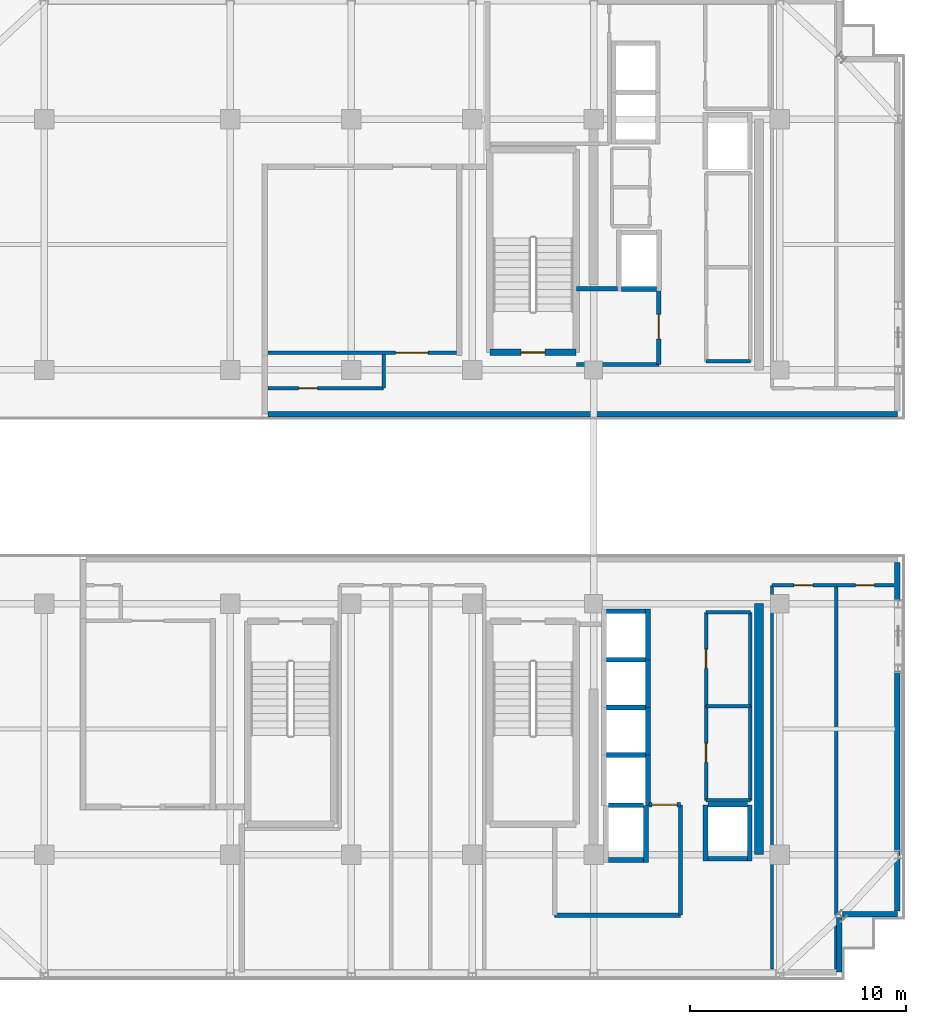
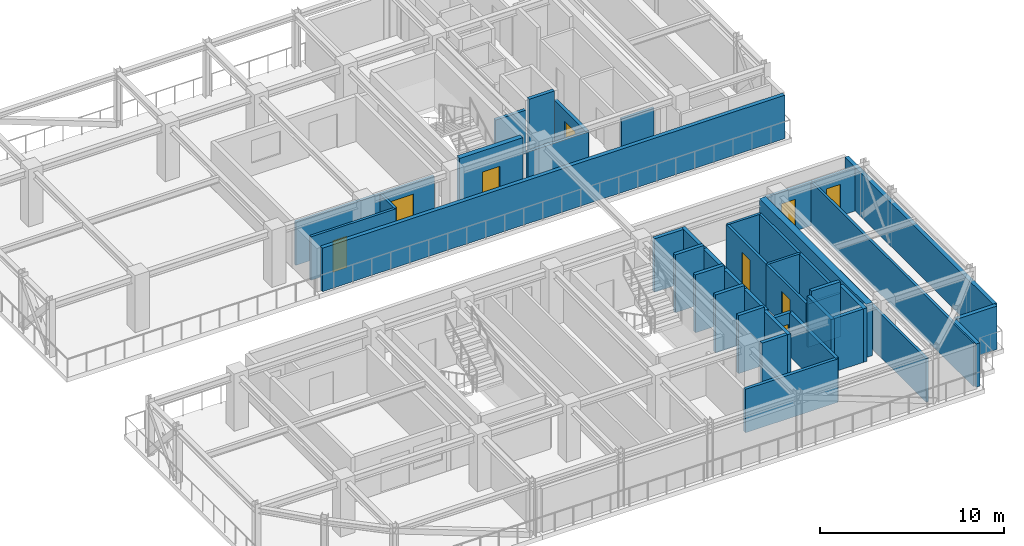
# One storey, part 6 of 14: 43 walls, 9 doors, 9 openings.
"""IFC4 building model written with IfcOpenShell, lengths in metres."""

from ifc_helpers import new_model, si_unit, direction, frame, frame_2d, origin, place, context, subcontext, project, spatial, rectangle, extrude, source, transform, mapped, material, layer, layer_set, type_object, element, fill, save


model = new_model("IFC4")

# Units and contexts
model_context = context("Model", 3, precision=1e-05, world=origin(), true_north=direction((0.0, 1.0)))
body_context = subcontext(model_context, "Body", "Model", "MODEL_VIEW")
ifc_project = project(units=[si_unit("LENGTHUNIT", "METRE"), si_unit("AREAUNIT", "SQUARE_METRE"), si_unit("VOLUMEUNIT", "CUBIC_METRE"), si_unit("PLANEANGLEUNIT", "RADIAN"), si_unit("MASSUNIT", "GRAM", prefix="KILO")], contexts=[model_context])

# Site, building, storey
site_placement = place(None, origin())
site = spatial("IfcSite", under=ifc_project, at=site_placement, CompositionType="ELEMENT")
building_placement = place(site_placement, origin())
building = spatial("IfcBuilding", under=site, at=building_placement, Name="Nahalor Promenade Grand Hotel", CompositionType="ELEMENT")
storey_placement = place(building_placement, frame((0.0, 0.0, 300.35009765625)))
storey = spatial("IfcBuildingStorey", under=building, at=storey_placement, Name="L77", CompositionType="ELEMENT", Elevation=300.35009765625)

# Wall
ifc_material_1 = material(Name="Concrete B-50 (C40/50)", Category="concrete")
ifc_layer_1 = layer(ifc_material_1, 0.39990234375)
ifc_layer_set_1 = layer_set([ifc_layer_1], Name="Concrete B-50 (C40/50)")
wall_type_1 = type_object("IfcWallType", Name="Wall-CoreShear-400", PredefinedType="SHEAR", material=ifc_layer_set_1)
shared_shape_1 = source(origin(), body_context, "Body", "SweptSolid", [
    extrude(rectangle(XDim=11.60009765625, YDim=0.39990234375, at=frame_2d((5.800048828125, 0.0))), origin(), (0.0, 0.0, 1.0), 3.5498046875),
])
wall_1_placement = place(storey_placement, frame((16.050048828125, -17.0, 0.0), z_axis=(0.0, 0.0, 1.0), x_axis=(0.0, 1.0, 0.0)))
element("IfcWall", 1, at=wall_1_placement, inside=storey, type_object=wall_type_1, Name="CWALL-L77-SE", PredefinedType="SHEAR", context=body_context, shape_type="MappedRepresentation", body=[
    mapped(shared_shape_1, transform((0.0, 0.0, 0.0), scale=1.0)),
])

# Wall, opening, door
ifc_layer_2 = layer(ifc_material_1, 0.300048828125)
ifc_layer_set_2 = layer_set([ifc_layer_2], Name="Concrete B-50 (C40/50)")
wall_type_2 = type_object("IfcWallType", Name="Wall-ShaftShear-300", PredefinedType="SHEAR", material=ifc_layer_set_2)
shared_shape_2 = source(origin(), body_context, "Body", "SweptSolid", [
    extrude(rectangle(XDim=3.97998046875, YDim=0.300048828125, at=frame_2d((1.989990234375, 0.0))), origin(), (0.0, 0.0, 1.0), 3.5498046875),
])
wall_2_placement = place(storey_placement, frame((3.610107421875, 6.2099609375, 0.0), z_axis=(0.0, 0.0, 1.0), x_axis=(1.0, 0.0, 0.0)))
wall_2 = element("IfcWall", 2, at=wall_2_placement, inside=storey, type_object=wall_type_2, Name="L77 Exit Stair ST1 Shaft Wall S", PredefinedType="SHEAR", context=body_context, shape_type="MappedRepresentation", body=[
    mapped(shared_shape_2, transform((0.0, 0.0, 0.0), scale=1.0)),
])
opening_1_placement = place(wall_2_placement, frame((1.43994140625, 0.0, 0.0)))
opening_1 = element("IfcOpeningElement", 3, at=opening_1_placement, cuts=wall_2, Name="Opening D-ST1", PredefinedType="OPENING", context=body_context, shape_type="SweptSolid", body=[
    extrude(rectangle(XDim=1.10009765625, YDim=2.14990234375, at=frame_2d((0.550048828125, 1.074951171875))), frame((0.0, 0.159912109375, 0.0), z_axis=(0.0, -1.0, 0.0), x_axis=(1.0, 0.0, 0.0)), (0.0, 0.0, 1.0), 0.320068359375),
])
ifc_material_2 = material(Name="Steel S355JR", Category="steel")
door_type_1 = type_object("IfcDoorType", Name="Door-StairFire-1100", OperationType="NOTDEFINED", PredefinedType="DOOR", material=ifc_material_2)
shared_shape_3 = source(origin(), body_context, "Body", "SweptSolid", [
    extrude(rectangle(XDim=1.10009765625, YDim=2.14990234375, at=frame_2d((0.550048828125, 1.074951171875))), frame((0.0, 0.02490234375, 0.0), z_axis=(0.0, -1.0, 0.0), x_axis=(1.0, 0.0, 0.0)), (0.0, 0.0, 1.0), 0.050048828125),
])
door_1_placement = place(opening_1_placement, origin())
door_1 = element("IfcDoor", 4, at=door_1_placement, inside=storey, type_object=door_type_1, Name="DR-STAIR-ST1-L77", OperationType="SINGLE_SWING_RIGHT", OverallHeight=2.14990234375, OverallWidth=1.10009765625, PredefinedType="DOOR", context=body_context, shape_type="MappedRepresentation", body=[
    mapped(shared_shape_3, transform((0.0, 0.0, 0.0), scale=1.0)),
])
fill(opening_1, door_1)

# Walls
ifc_layer_3 = layer(ifc_material_1, 0.219970703125)
ifc_layer_set_3 = layer_set([ifc_layer_3], Name="Concrete B-50 (C40/50)")
wall_type_3 = type_object("IfcWallType", Name="Wall-LiftShaft-220", PredefinedType="SHEAR", material=ifc_layer_set_3)
shared_shape_4 = source(origin(), body_context, "Body", "SweptSolid", [
    extrude(rectangle(XDim=2.360107421875, YDim=0.219970703125, at=frame_2d((1.18017578125, 0.0))), origin(), (0.0, 0.0, 1.0), 3.5498046875),
])
wall_3_placement = place(storey_placement, frame((10.919921875, -8.0, 0.0), z_axis=(0.0, 0.0, 1.0), x_axis=(0.0, 1.0, 0.0)))
element("IfcWall", 5, at=wall_3_placement, inside=storey, type_object=wall_type_3, Name="L77 Lift PL9 Hoistway Wall E", PredefinedType="SHEAR", context=body_context, shape_type="MappedRepresentation", body=[
    mapped(shared_shape_4, transform((0.0, 0.0, 0.0), scale=1.0)),
])
shared_shape_5 = source(origin(), body_context, "Body", "SweptSolid", [
    extrude(rectangle(XDim=1.820068359375, YDim=0.219970703125, at=frame_2d((0.91015625, 0.0))), origin(), (0.0, 0.0, 1.0), 3.5498046875),
])
for number, where, z_axis, x_axis, name in (
    (6, (8.989990234375, -5.75, 0.0), (0.0, 0.0, 1.0), (1.0, 0.0, 0.0), "L77 Lift PL9 Hoistway Wall N"),
    (7, (13.68994140625, -17.199951171875, 0.0), (0.0, 0.0, 1.0), (1.0, 0.0, 0.0), "L77 Lift SV2 Hoistway Wall S"),
):
    element("IfcWall", number, at=place(storey_placement, frame(where, z_axis=z_axis, x_axis=x_axis)), inside=storey, type_object=wall_type_3, Name=name, PredefinedType="SHEAR", context=body_context, shape_type="MappedRepresentation", body=[
        mapped(shared_shape_5, transform((0.0, 0.0, 0.0), scale=1.0)),
    ])
shared_shape_6 = source(origin(), body_context, "Body", "SweptSolid", [
    extrude(rectangle(XDim=1.820068359375, YDim=0.219970703125, at=frame_2d((0.91015625, 0.0))), origin(), (0.0, 0.0, 1.0), 3.849853515625),
])
for number, where, z_axis, x_axis, name in (
    (8, (8.989990234375, -8.0, 0.0), (0.0, 0.0, 1.0), (1.0, 0.0, 0.0), "L77 Lift PL10 Hoistway Wall N"),
    (9, (8.989990234375, -10.199951171875, 0.0), (0.0, 0.0, 1.0), (1.0, 0.0, 0.0), "L77 Lift PL11 Hoistway Wall N"),
    (10, (8.989990234375, -12.39990234375, 0.0), (0.0, 0.0, 1.0), (1.0, 0.0, 0.0), "L77 Lift PL12 Hoistway Wall N"),
    (11, (13.68994140625, -14.699951171875, 0.0), (0.0, 0.0, 1.0), (1.0, 0.0, 0.0), "L77 Lift SV2 Hoistway Wall N"),
):
    element("IfcWall", number, at=place(storey_placement, frame(where, z_axis=z_axis, x_axis=x_axis)), inside=storey, type_object=wall_type_3, Name=name, PredefinedType="SHEAR", context=body_context, shape_type="MappedRepresentation", body=[
        mapped(shared_shape_6, transform((0.0, 0.0, 0.0), scale=1.0)),
    ])
shared_shape_7 = source(origin(), body_context, "Body", "SweptSolid", [
    extrude(rectangle(XDim=2.199951171875, YDim=0.219970703125, at=frame_2d((1.10009765625, 0.0))), origin(), (0.0, 0.0, 1.0), 3.5498046875),
])
for number, where, z_axis, x_axis, name in (
    (12, (10.919921875, -10.199951171875, 0.0), (0.0, 0.0, 1.0), (0.0, 1.0, 0.0), "L77 Lift PL10 Hoistway Wall E"),
    (13, (10.919921875, -12.39990234375, 0.0), (0.0, 0.0, 1.0), (0.0, 1.0, 0.0), "L77 Lift PL11 Hoistway Wall E"),
):
    element("IfcWall", number, at=place(storey_placement, frame(where, z_axis=z_axis, x_axis=x_axis)), inside=storey, type_object=wall_type_3, Name=name, PredefinedType="SHEAR", context=body_context, shape_type="MappedRepresentation", body=[
        mapped(shared_shape_7, transform((0.0, 0.0, 0.0), scale=1.0)),
    ])
shared_shape_8 = source(origin(), body_context, "Body", "SweptSolid", [
    extrude(rectangle(XDim=2.3251953125, YDim=0.219970703125, at=frame_2d((1.16259765625, 0.0))), origin(), (0.0, 0.0, 1.0), 3.5498046875),
])
wall_4_placement = place(storey_placement, frame((10.919921875, -14.72509765625, 0.0), z_axis=(0.0, 0.0, 1.0), x_axis=(0.0, 1.0, 0.0)))
element("IfcWall", 14, at=wall_4_placement, inside=storey, type_object=wall_type_3, Name="L77 Lift PL12 Hoistway Wall E", PredefinedType="SHEAR", context=body_context, shape_type="MappedRepresentation", body=[
    mapped(shared_shape_8, transform((0.0, 0.0, 0.0), scale=1.0)),
])
shared_shape_9 = source(origin(), body_context, "Body", "SweptSolid", [
    extrude(rectangle(XDim=1.6201171875, YDim=0.219970703125, at=frame_2d((0.81005859375, 0.0))), origin(), (0.0, 0.0, 1.0), 3.5498046875),
])
wall_5_placement = place(storey_placement, frame((9.68994140625, 9.14990234375, 0.0), z_axis=(0.0, 0.0, 1.0), x_axis=(1.0, 0.0, 0.0)))
element("IfcWall", 15, at=wall_5_placement, inside=storey, type_object=wall_type_3, Name="L77 Lift FL1 Hoistway Wall S", PredefinedType="SHEAR", context=body_context, shape_type="MappedRepresentation", body=[
    mapped(shared_shape_9, transform((0.0, 0.0, 0.0), scale=1.0)),
])
shared_shape_10 = source(origin(), body_context, "Body", "SweptSolid", [
    extrude(rectangle(XDim=1.619873046875, YDim=0.219970703125, at=frame_2d((0.81005859375, 0.0))), origin(), (0.0, 0.0, 1.0), 3.849853515625),
])
wall_6_placement = place(storey_placement, frame((9.090087890625, -14.72509765625, 0.0), z_axis=(0.0, 0.0, 1.0), x_axis=(1.0, 0.0, 0.0)))
element("IfcWall", 16, at=wall_6_placement, inside=storey, type_object=wall_type_3, Name="L77 Lift FL2 Hoistway Wall N", PredefinedType="SHEAR", context=body_context, shape_type="MappedRepresentation", body=[
    mapped(shared_shape_10, transform((0.0, 0.0, 0.0), scale=1.0)),
])
shared_shape_11 = source(origin(), body_context, "Body", "SweptSolid", [
    extrude(rectangle(XDim=2.635009765625, YDim=0.219970703125, at=frame_2d((1.3173828125, 0.0))), origin(), (0.0, 0.0, 1.0), 3.5498046875),
])
wall_7_placement = place(storey_placement, frame((10.820068359375, -17.360107421875, 0.0), z_axis=(0.0, 0.0, 1.0), x_axis=(0.0, 1.0, 0.0)))
element("IfcWall", 17, at=wall_7_placement, inside=storey, type_object=wall_type_3, Name="L77 Lift FL2 Hoistway Wall E", PredefinedType="SHEAR", context=body_context, shape_type="MappedRepresentation", body=[
    mapped(shared_shape_11, transform((0.0, 0.0, 0.0), scale=1.0)),
])
shared_shape_12 = source(origin(), body_context, "Body", "SweptSolid", [
    extrude(rectangle(XDim=1.619873046875, YDim=0.219970703125, at=frame_2d((0.81005859375, 0.0))), origin(), (0.0, 0.0, 1.0), 3.5498046875),
])
wall_8_placement = place(storey_placement, frame((9.090087890625, -17.25, 0.0), z_axis=(0.0, 0.0, 1.0), x_axis=(1.0, 0.0, 0.0)))
element("IfcWall", 18, at=wall_8_placement, inside=storey, type_object=wall_type_3, Name="L77 Lift FL2 Hoistway Wall S", PredefinedType="SHEAR", context=body_context, shape_type="MappedRepresentation", body=[
    mapped(shared_shape_12, transform((0.0, 0.0, 0.0), scale=1.0)),
])
shared_shape_13 = source(origin(), body_context, "Body", "SweptSolid", [
    extrude(rectangle(XDim=2.610107421875, YDim=0.219970703125, at=frame_2d((1.30517578125, 0.0))), origin(), (0.0, 0.0, 1.0), 3.5498046875),
])
for number, where, z_axis, x_axis, name in (
    (19, (13.580078125, -17.31005859375, 0.0), (0.0, 0.0, 1.0), (0.0, 1.0, 0.0), "L77 Lift SV2 Hoistway Wall W"),
    (20, (15.6201171875, -17.31005859375, 0.0), (0.0, 0.0, 1.0), (0.0, 1.0, 0.0), "L77 Lift SV2 Hoistway Wall E"),
):
    element("IfcWall", number, at=place(storey_placement, frame(where, z_axis=z_axis, x_axis=x_axis)), inside=storey, type_object=wall_type_3, Name=name, PredefinedType="SHEAR", context=body_context, shape_type="MappedRepresentation", body=[
        mapped(shared_shape_13, transform((0.0, 0.0, 0.0), scale=1.0)),
    ])
ifc_material_3 = material(Name="Concrete B-40 (C32/40)", Category="concrete")
ifc_layer_4 = layer(ifc_material_3, 0.199951171875)
ifc_layer_set_4 = layer_set([ifc_layer_4], Name="Concrete B-40 (C32/40)")
wall_type_4 = type_object("IfcWallType", Name="Wall-PartFire-200", PredefinedType="PARTITIONING", material=ifc_layer_set_4)
shared_shape_14 = source(origin(), body_context, "Body", "SweptSolid", [
    extrude(rectangle(XDim=3.81982421875, YDim=0.199951171875, at=frame_2d((1.909912109375, 0.0))), origin(), (0.0, 0.0, 1.0), 2.889892578125),
])
wall_9_placement = place(storey_placement, frame((7.60009765625, 5.64990234375, 0.0), z_axis=(0.0, 0.0, 1.0), x_axis=(1.0, 0.0, 0.0)))
element("IfcWall", 21, at=wall_9_placement, inside=storey, type_object=wall_type_4, Name="W-L77-FF1-S", PredefinedType="PARTITIONING", context=body_context, shape_type="MappedRepresentation", body=[
    mapped(shared_shape_14, transform((0.0, 0.0, 0.0), scale=1.0)),
])
shared_shape_15 = source(origin(), body_context, "Body", "SweptSolid", [
    extrude(rectangle(XDim=1.89990234375, YDim=0.199951171875, at=frame_2d((0.949951171875, 0.0))), origin(), (0.0, 0.0, 1.0), 2.889892578125),
])
wall_10_placement = place(storey_placement, frame((7.60009765625, 9.14990234375, 0.0), z_axis=(0.0, 0.0, 1.0), x_axis=(1.0, 0.0, 0.0)))
element("IfcWall", 22, at=wall_10_placement, inside=storey, type_object=wall_type_4, Name="W-L77-FF1-N", PredefinedType="PARTITIONING", context=body_context, shape_type="MappedRepresentation", body=[
    mapped(shared_shape_15, transform((0.0, 0.0, 0.0), scale=1.0)),
])

# Wall, opening, door
shared_shape_16 = source(origin(), body_context, "Body", "SweptSolid", [
    extrude(rectangle(XDim=3.5, YDim=0.199951171875, at=frame_2d((1.75, 0.0))), origin(), (0.0, 0.0, 1.0), 2.889892578125),
])
wall_11_placement = place(storey_placement, frame((11.419921875, 5.64990234375, 0.0), z_axis=(0.0, 0.0, 1.0), x_axis=(0.0, 1.0, 0.0)))
wall_11 = element("IfcWall", 23, at=wall_11_placement, inside=storey, type_object=wall_type_4, Name="W-L77-FF1-E", PredefinedType="PARTITIONING", context=body_context, shape_type="MappedRepresentation", body=[
    mapped(shared_shape_16, transform((0.0, 0.0, 0.0), scale=1.0)),
])
opening_2_placement = place(wall_11_placement, frame((1.175048828125, 0.0, 0.0)))
opening_2 = element("IfcOpeningElement", 24, at=opening_2_placement, cuts=wall_11, Name="Opening D-FF1", PredefinedType="OPENING", context=body_context, shape_type="SweptSolid", body=[
    extrude(rectangle(XDim=1.14990234375, YDim=2.14990234375, at=frame_2d((0.574951171875, 1.074951171875))), frame((0.0, 0.10986328125, 0.0), z_axis=(0.0, -1.0, 0.0), x_axis=(1.0, 0.0, 0.0)), (0.0, 0.0, 1.0), 0.219970703125),
])
door_type_2 = type_object("IfcDoorType", Name="Door-FFLobby-1150", OperationType="NOTDEFINED", PredefinedType="DOOR", material=ifc_material_2)
shared_shape_17 = source(origin(), body_context, "Body", "SweptSolid", [
    extrude(rectangle(XDim=1.14990234375, YDim=2.14990234375, at=frame_2d((0.574951171875, 1.074951171875))), frame((0.0, 0.02490234375, 0.0), z_axis=(0.0, -1.0, 0.0), x_axis=(1.0, 0.0, 0.0)), (0.0, 0.0, 1.0), 0.050048828125),
])
door_2_placement = place(opening_2_placement, frame((1.14990234375, 0.0, 0.0), z_axis=(0.0, 0.0, 1.0), x_axis=(-1.0, 0.0, 0.0)))
door_2 = element("IfcDoor", 25, at=door_2_placement, inside=storey, type_object=door_type_2, Name="DR-L77-FFL1", OperationType="SINGLE_SWING_RIGHT", OverallHeight=2.14990234375, OverallWidth=1.14990234375, PredefinedType="DOOR", context=body_context, shape_type="MappedRepresentation", body=[
    mapped(shared_shape_17, transform((0.0, 0.0, 0.0), scale=1.0)),
])
fill(opening_2, door_2)

# Walls
shared_shape_18 = source(origin(), body_context, "Body", "SweptSolid", [
    extrude(rectangle(XDim=5.81982421875, YDim=0.199951171875, at=frame_2d((2.909912109375, 0.0))), origin(), (0.0, 0.0, 1.0), 2.889892578125),
])
wall_12_placement = place(storey_placement, frame((6.60009765625, -19.800048828125, 0.0), z_axis=(0.0, 0.0, 1.0), x_axis=(1.0, 0.0, 0.0)))
element("IfcWall", 26, at=wall_12_placement, inside=storey, type_object=wall_type_4, Name="W-L77-FF2-S1", PredefinedType="PARTITIONING", context=body_context, shape_type="MappedRepresentation", body=[
    mapped(shared_shape_18, transform((0.0, 0.0, 0.0), scale=1.0)),
])
shared_shape_19 = source(origin(), body_context, "Body", "SweptSolid", [
    extrude(rectangle(XDim=5.10009765625, YDim=0.199951171875, at=frame_2d((2.550048828125, 0.0))), origin(), (0.0, 0.0, 1.0), 2.889892578125),
])
wall_13_placement = place(storey_placement, frame((12.419921875, -19.800048828125, 0.0), z_axis=(0.0, 0.0, 1.0), x_axis=(0.0, 1.0, 0.0)))
element("IfcWall", 27, at=wall_13_placement, inside=storey, type_object=wall_type_4, Name="W-L77-FF2-E", PredefinedType="PARTITIONING", context=body_context, shape_type="MappedRepresentation", body=[
    mapped(shared_shape_19, transform((0.0, 0.0, 0.0), scale=1.0)),
])

# Wall, opening, door
shared_shape_20 = source(origin(), body_context, "Body", "SweptSolid", [
    extrude(rectangle(XDim=1.4599609375, YDim=0.199951171875, at=frame_2d((0.72998046875, 0.0))), origin(), (0.0, 0.0, 1.0), 2.889892578125),
])
wall_14_placement = place(storey_placement, frame((10.9599609375, -14.699951171875, 0.0), z_axis=(0.0, 0.0, 1.0), x_axis=(1.0, 0.0, 0.0)))
wall_14 = element("IfcWall", 28, at=wall_14_placement, inside=storey, type_object=wall_type_4, Name="W-L77-FF2-N1", PredefinedType="PARTITIONING", context=body_context, shape_type="MappedRepresentation", body=[
    mapped(shared_shape_20, transform((0.0, 0.0, 0.0), scale=1.0)),
])
opening_3_placement = place(wall_14_placement, frame((0.14501953125, 0.0, 0.0)))
opening_3 = element("IfcOpeningElement", 29, at=opening_3_placement, cuts=wall_14, Name="Opening D-FF1", PredefinedType="OPENING", context=body_context, shape_type="SweptSolid", body=[
    extrude(rectangle(XDim=1.14990234375, YDim=2.14990234375, at=frame_2d((0.574951171875, 1.074951171875))), frame((0.0, 0.10986328125, 0.0), z_axis=(0.0, -1.0, 0.0), x_axis=(1.0, 0.0, 0.0)), (0.0, 0.0, 1.0), 0.219970703125),
])
door_3_placement = place(opening_3_placement, origin())
door_3 = element("IfcDoor", 30, at=door_3_placement, inside=storey, type_object=door_type_2, Name="DR-L77-FFL2", OperationType="SINGLE_SWING_LEFT", OverallHeight=2.14990234375, OverallWidth=1.14990234375, PredefinedType="DOOR", context=body_context, shape_type="MappedRepresentation", body=[
    mapped(shared_shape_17, transform((0.0, 0.0, 0.0), scale=1.0)),
])
fill(opening_3, door_3)

# Walls
ifc_material_4 = material(Name="Acoustic Mineral Gypsum", Category="gypsum")
ifc_layer_5 = layer(ifc_material_4, 0.159912109375)
ifc_layer_set_5 = layer_set([ifc_layer_5], Name="Acoustic Mineral Gypsum")
wall_type_5 = type_object("IfcWallType", Name="Wall-PartCorridor-160", PredefinedType="PARTITIONING", material=ifc_layer_set_5)
shared_shape_21 = source(origin(), body_context, "Body", "SweptSolid", [
    extrude(rectangle(XDim=2.0498046875, YDim=0.159912109375, at=frame_2d((1.02490234375, 0.0))), origin(), (0.0, 0.0, 1.0), 2.889892578125),
])
for number, where, z_axis, x_axis, name in (
    (31, (13.60009765625, 5.800048828125, 0.0), (0.0, 0.0, 1.0), (1.0, 0.0, 0.0), "W-L77-FRB1A-S"),
    (32, (13.60009765625, -14.5, 0.0), (0.0, 0.0, 1.0), (1.0, 0.0, 0.0), "W-L77-FRB2A-S"),
    (33, (13.60009765625, -10.14990234375, 0.0), (0.0, 0.0, 1.0), (1.0, 0.0, 0.0), "W-L77-FRB2A-N"),
    (34, (13.60009765625, -5.800048828125, 0.0), (0.0, 0.0, 1.0), (1.0, 0.0, 0.0), "W-L77-FRB2B-N"),
):
    element("IfcWall", number, at=place(storey_placement, frame(where, z_axis=z_axis, x_axis=x_axis)), inside=storey, type_object=wall_type_5, Name=name, PredefinedType="PARTITIONING", context=body_context, shape_type="MappedRepresentation", body=[
        mapped(shared_shape_21, transform((0.0, 0.0, 0.0), scale=1.0)),
    ])

# Wall, opening, door
shared_shape_22 = source(origin(), body_context, "Body", "SweptSolid", [
    extrude(rectangle(XDim=4.349853515625, YDim=0.159912109375, at=frame_2d((2.1748046875, 0.0))), origin(), (0.0, 0.0, 1.0), 2.889892578125),
])
wall_15_placement = place(storey_placement, frame((13.60009765625, -10.14990234375, 0.0), z_axis=(0.0, 0.0, 1.0), x_axis=(0.0, 1.0, 0.0)))
wall_15 = element("IfcWall", 35, at=wall_15_placement, inside=storey, type_object=wall_type_5, Name="W-L77-FRB2B-W", PredefinedType="PARTITIONING", context=body_context, shape_type="MappedRepresentation", body=[
    mapped(shared_shape_22, transform((0.0, 0.0, 0.0), scale=1.0)),
])
opening_4_placement = place(wall_15_placement, frame((1.760009765625, 0.0, 0.0)))
opening_4 = element("IfcOpeningElement", 36, at=opening_4_placement, cuts=wall_15, Name="Opening D-03", PredefinedType="OPENING", context=body_context, shape_type="SweptSolid", body=[
    extrude(rectangle(XDim=0.8798828125, YDim=2.10009765625, at=frame_2d((0.43994140625, 1.050048828125))), frame((0.0, 0.08984375, 0.0), z_axis=(0.0, -1.0, 0.0), x_axis=(1.0, 0.0, 0.0)), (0.0, 0.0, 1.0), 0.179931640625),
])
ifc_material_5 = material(Name="Fire-Rated Timber Composite", Category="wood")
door_type_3 = type_object("IfcDoorType", Name="Door-BathSwing-880", OperationType="NOTDEFINED", PredefinedType="DOOR", material=ifc_material_5)
shared_shape_23 = source(origin(), body_context, "Body", "SweptSolid", [
    extrude(rectangle(XDim=0.8798828125, YDim=2.10009765625, at=frame_2d((0.43994140625, 1.050048828125))), frame((0.0, 0.02490234375, 0.0), z_axis=(0.0, -1.0, 0.0), x_axis=(1.0, 0.0, 0.0)), (0.0, 0.0, 1.0), 0.050048828125),
])
door_4_placement = place(opening_4_placement, frame((0.8798828125, 0.0, 0.0), z_axis=(0.0, 0.0, 1.0), x_axis=(-1.0, 0.0, 0.0)))
door_4 = element("IfcDoor", 37, at=door_4_placement, inside=storey, type_object=door_type_3, Name="DR-L77-FRB2B", OperationType="SINGLE_SWING_LEFT", OverallHeight=2.10009765625, OverallWidth=0.8798828125, PredefinedType="DOOR", context=body_context, shape_type="MappedRepresentation", body=[
    mapped(shared_shape_23, transform((0.0, 0.0, 0.0), scale=1.0)),
])
fill(opening_4, door_4)

# Wall
wall_16_placement = place(storey_placement, frame((15.64990234375, -10.14990234375, 0.0), z_axis=(0.0, 0.0, 1.0), x_axis=(0.0, 1.0, 0.0)))
element("IfcWall", 38, at=wall_16_placement, inside=storey, type_object=wall_type_5, Name="W-L77-FRB2B-E", PredefinedType="PARTITIONING", context=body_context, shape_type="MappedRepresentation", body=[
    mapped(shared_shape_22, transform((0.0, 0.0, 0.0), scale=1.0)),
])

# Wall, opening, door
shared_shape_24 = source(origin(), body_context, "Body", "SweptSolid", [
    extrude(rectangle(XDim=4.35009765625, YDim=0.159912109375, at=frame_2d((2.175048828125, 0.0))), origin(), (0.0, 0.0, 1.0), 2.889892578125),
])
wall_17_placement = place(storey_placement, frame((13.60009765625, -14.5, 0.0), z_axis=(0.0, 0.0, 1.0), x_axis=(0.0, 1.0, 0.0)))
wall_17 = element("IfcWall", 39, at=wall_17_placement, inside=storey, type_object=wall_type_5, Name="W-L77-FRB2A-W", PredefinedType="PARTITIONING", context=body_context, shape_type="MappedRepresentation", body=[
    mapped(shared_shape_24, transform((0.0, 0.0, 0.0), scale=1.0)),
])
opening_5_placement = place(wall_17_placement, frame((1.760009765625, 0.0, 0.0)))
opening_5 = element("IfcOpeningElement", 40, at=opening_5_placement, cuts=wall_17, Name="Opening D-03", PredefinedType="OPENING", context=body_context, shape_type="SweptSolid", body=[
    extrude(rectangle(XDim=0.8798828125, YDim=2.10009765625, at=frame_2d((0.43994140625, 1.050048828125))), frame((0.0, 0.08984375, 0.0), z_axis=(0.0, -1.0, 0.0), x_axis=(1.0, 0.0, 0.0)), (0.0, 0.0, 1.0), 0.179931640625),
])
door_5_placement = place(opening_5_placement, frame((0.8798828125, 0.0, 0.0), z_axis=(0.0, 0.0, 1.0), x_axis=(-1.0, 0.0, 0.0)))
door_5 = element("IfcDoor", 41, at=door_5_placement, inside=storey, type_object=door_type_3, Name="DR-L77-FRB2A", OperationType="SINGLE_SWING_RIGHT", OverallHeight=2.10009765625, OverallWidth=0.8798828125, PredefinedType="DOOR", context=body_context, shape_type="MappedRepresentation", body=[
    mapped(shared_shape_23, transform((0.0, 0.0, 0.0), scale=1.0)),
])
fill(opening_5, door_5)

# Walls
wall_18_placement = place(storey_placement, frame((15.64990234375, -14.5, 0.0), z_axis=(0.0, 0.0, 1.0), x_axis=(0.0, 1.0, 0.0)))
element("IfcWall", 42, at=wall_18_placement, inside=storey, type_object=wall_type_5, Name="W-L77-FRB2A-E", PredefinedType="PARTITIONING", context=body_context, shape_type="MappedRepresentation", body=[
    mapped(shared_shape_24, transform((0.0, 0.0, 0.0), scale=1.0)),
])
ifc_layer_6 = layer(ifc_material_3, 0.25)
ifc_layer_set_6 = layer_set([ifc_layer_6], Name="Concrete B-40 (C32/40)")
wall_type_6 = type_object("IfcWallType", Name="Wall-BronzePier-250", PredefinedType="STANDARD", material=ifc_layer_set_6)
shared_shape_25 = source(origin(), body_context, "Body", "SweptSolid", [
    extrude(rectangle(XDim=2.5400390625, YDim=0.25, at=frame_2d((1.27001953125, 0.0))), origin(), (0.0, 0.0, 1.0), 2.889892578125),
])
for number, where, z_axis, x_axis, name in (
    (43, (19.760009765625, -22.43994140625, 0.0), (0.0, 0.0, 1.0), (0.0, 1.0, 0.0), "W-L77-WPENV-SSE1"),
    (44, (19.89990234375, -19.760009765625, 0.0), (0.0, 0.0, 1.0), (1.0, 0.0, 0.0), "W-L77-WPENV-SSE2"),
):
    element("IfcWall", number, at=place(storey_placement, frame(where, z_axis=z_axis, x_axis=x_axis)), inside=storey, type_object=wall_type_6, Name=name, PredefinedType="STANDARD", context=body_context, shape_type="MappedRepresentation", body=[
        mapped(shared_shape_25, transform((0.0, 0.0, 0.0), scale=1.0)),
    ])
shared_shape_26 = source(origin(), body_context, "Body", "SweptSolid", [
    extrude(rectangle(XDim=16.1201171875, YDim=0.25, at=frame_2d((8.06005859375, 0.0))), origin(), (0.0, 0.0, 1.0), 2.889892578125),
])
wall_19_placement = place(storey_placement, frame((22.43994140625, -19.6201171875, 0.0), z_axis=(0.0, 0.0, 1.0), x_axis=(0.0, 1.0, 0.0)))
element("IfcWall", 45, at=wall_19_placement, inside=storey, type_object=wall_type_6, Name="W-L77-WPENV-SE", PredefinedType="STANDARD", context=body_context, shape_type="MappedRepresentation", body=[
    mapped(shared_shape_26, transform((0.0, 0.0, 0.0), scale=1.0)),
])
shared_shape_27 = source(origin(), body_context, "Body", "SweptSolid", [
    extrude(rectangle(XDim=1.56005859375, YDim=0.159912109375, at=frame_2d((0.780029296875, 0.0))), origin(), (0.0, 0.0, 1.0), 2.889892578125),
])
wall_20_placement = place(storey_placement, frame((-1.300048828125, 4.56005859375, 0.0), z_axis=(0.0, 0.0, 1.0), x_axis=(0.0, 1.0, 0.0)))
element("IfcWall", 46, at=wall_20_placement, inside=storey, type_object=wall_type_5, Name="W-L77-WPNW1-E", PredefinedType="PARTITIONING", context=body_context, shape_type="MappedRepresentation", body=[
    mapped(shared_shape_27, transform((0.0, 0.0, 0.0), scale=1.0)),
])

# Wall, opening, door
shared_shape_28 = source(origin(), body_context, "Body", "SweptSolid", [
    extrude(rectangle(XDim=2.97021484375, YDim=0.159912109375, at=frame_2d((1.485107421875, 0.0))), origin(), (0.0, 0.0, 1.0), 2.889892578125),
])
wall_21_placement = place(storey_placement, frame((16.64990234375, -4.56005859375, 0.0), z_axis=(0.0, 0.0, 1.0), x_axis=(1.0, 0.0, 0.0)))
wall_21 = element("IfcWall", 47, at=wall_21_placement, inside=storey, type_object=wall_type_5, Name="W-L77-WPSE1-N", PredefinedType="PARTITIONING", context=body_context, shape_type="MappedRepresentation", body=[
    mapped(shared_shape_28, transform((0.0, 0.0, 0.0), scale=1.0)),
])
opening_6_placement = place(wall_21_placement, frame((1.010009765625, 0.0, 0.0)))
opening_6 = element("IfcOpeningElement", 48, at=opening_6_placement, cuts=wall_21, Name="Opening D-03", PredefinedType="OPENING", context=body_context, shape_type="SweptSolid", body=[
    extrude(rectangle(XDim=0.8798828125, YDim=2.10009765625, at=frame_2d((0.43994140625, 1.050048828125))), frame((0.0, 0.08984375, 0.0), z_axis=(0.0, -1.0, 0.0), x_axis=(1.0, 0.0, 0.0)), (0.0, 0.0, 1.0), 0.179931640625),
])
door_6_placement = place(opening_6_placement, frame((0.8798828125, 0.0, 0.0), z_axis=(0.0, 0.0, 1.0), x_axis=(-1.0, 0.0, 0.0)))
door_6 = element("IfcDoor", 49, at=door_6_placement, inside=storey, type_object=door_type_3, Name="DR-L77-WPSE1", OperationType="SINGLE_SWING_LEFT", OverallHeight=2.10009765625, OverallWidth=0.8798828125, PredefinedType="DOOR", context=body_context, shape_type="MappedRepresentation", body=[
    mapped(shared_shape_23, transform((0.0, 0.0, 0.0), scale=1.0)),
])
fill(opening_6, door_6)

# Walls
shared_shape_29 = source(origin(), body_context, "Body", "SweptSolid", [
    extrude(rectangle(XDim=17.739990234375, YDim=0.159912109375, at=frame_2d((8.8701171875, 0.0))), origin(), (0.0, 0.0, 1.0), 2.889892578125),
])
for number, where, z_axis, x_axis, name in (
    (50, (16.64990234375, -22.300048828125, 0.0), (0.0, 0.0, 1.0), (0.0, 1.0, 0.0), "W-L77-WPSE1-W"),
    (51, (19.6201171875, -22.300048828125, 0.0), (0.0, 0.0, 1.0), (0.0, 1.0, 0.0), "W-L77-WPSE1-E"),
):
    element("IfcWall", number, at=place(storey_placement, frame(where, z_axis=z_axis, x_axis=x_axis)), inside=storey, type_object=wall_type_5, Name=name, PredefinedType="PARTITIONING", context=body_context, shape_type="MappedRepresentation", body=[
        mapped(shared_shape_29, transform((0.0, 0.0, 0.0), scale=1.0)),
    ])

# Wall, opening, door
shared_shape_30 = source(origin(), body_context, "Body", "SweptSolid", [
    extrude(rectangle(XDim=2.679931640625, YDim=0.159912109375, at=frame_2d((1.33984375, 0.0))), origin(), (0.0, 0.0, 1.0), 2.889892578125),
])
wall_22_placement = place(storey_placement, frame((19.6201171875, -4.56005859375, 0.0), z_axis=(0.0, 0.0, 1.0), x_axis=(1.0, 0.0, 0.0)))
wall_22 = element("IfcWall", 52, at=wall_22_placement, inside=storey, type_object=wall_type_5, Name="W-L77-WPSE2-N", PredefinedType="PARTITIONING", context=body_context, shape_type="MappedRepresentation", body=[
    mapped(shared_shape_30, transform((0.0, 0.0, 0.0), scale=1.0)),
])
opening_7_placement = place(wall_22_placement, frame((0.889892578125, 0.0, 0.0)))
opening_7 = element("IfcOpeningElement", 53, at=opening_7_placement, cuts=wall_22, Name="Opening D-03", PredefinedType="OPENING", context=body_context, shape_type="SweptSolid", body=[
    extrude(rectangle(XDim=0.8798828125, YDim=2.10009765625, at=frame_2d((0.43994140625, 1.050048828125))), frame((0.0, 0.08984375, 0.0), z_axis=(0.0, -1.0, 0.0), x_axis=(1.0, 0.0, 0.0)), (0.0, 0.0, 1.0), 0.179931640625),
])
door_7_placement = place(opening_7_placement, frame((0.8798828125, 0.0, 0.0), z_axis=(0.0, 0.0, 1.0), x_axis=(-1.0, 0.0, 0.0)))
door_7 = element("IfcDoor", 54, at=door_7_placement, inside=storey, type_object=door_type_3, Name="DR-L77-WPSE2", OperationType="SINGLE_SWING_RIGHT", OverallHeight=2.10009765625, OverallWidth=0.8798828125, PredefinedType="DOOR", context=body_context, shape_type="MappedRepresentation", body=[
    mapped(shared_shape_23, transform((0.0, 0.0, 0.0), scale=1.0)),
])
fill(opening_7, door_7)

# Wall
shared_shape_31 = source(origin(), body_context, "Body", "SweptSolid", [
    extrude(rectangle(XDim=29.079833984375, YDim=0.25, at=frame_2d((14.5400390625, 0.0))), origin(), (0.0, 0.0, 1.0), 2.889892578125),
])
wall_23_placement = place(storey_placement, frame((-6.639892578125, 3.360107421875, 0.0), z_axis=(0.0, 0.0, 1.0), x_axis=(1.0, 0.0, 0.0)))
element("IfcWall", 55, at=wall_23_placement, inside=storey, type_object=wall_type_6, Name="W-L77-WPENV-NS", PredefinedType="STANDARD", context=body_context, shape_type="MappedRepresentation", body=[
    mapped(shared_shape_31, transform((0.0, 0.0, 0.0), scale=1.0)),
])

# Wall, opening, door
shared_shape_32 = source(origin(), body_context, "Body", "SweptSolid", [
    extrude(rectangle(XDim=8.719970703125, YDim=0.159912109375, at=frame_2d((4.35986328125, 0.0))), origin(), (0.0, 0.0, 1.0), 2.889892578125),
])
wall_24_placement = place(storey_placement, frame((-6.659912109375, 6.199951171875, 0.0), z_axis=(0.0, 0.0, 1.0), x_axis=(1.0, 0.0, 0.0)))
wall_24 = element("IfcWall", 56, at=wall_24_placement, inside=storey, type_object=wall_type_5, Name="W-L77-WPGAL-N-S", PredefinedType="PARTITIONING", context=body_context, shape_type="MappedRepresentation", body=[
    mapped(shared_shape_32, transform((0.0, 0.0, 0.0), scale=1.0)),
])
opening_8_placement = place(wall_24_placement, frame((5.909912109375, 0.0, 0.0)))
opening_8 = element("IfcOpeningElement", 57, at=opening_8_placement, cuts=wall_24, Name="Opening D-02", PredefinedType="OPENING", context=body_context, shape_type="SweptSolid", body=[
    extrude(rectangle(XDim=1.5, YDim=2.14990234375, at=frame_2d((0.75, 1.074951171875))), frame((0.0, 0.08984375, 0.0), z_axis=(0.0, -1.0, 0.0), x_axis=(1.0, 0.0, 0.0)), (0.0, 0.0, 1.0), 0.179931640625),
])
door_type_4 = type_object("IfcDoorType", Name="Door-SuiteDouble-1500", OperationType="DOUBLE_DOOR_SINGLE_SWING", PredefinedType="DOOR", material=ifc_material_5)
shared_shape_33 = source(origin(), body_context, "Body", "SweptSolid", [
    extrude(rectangle(XDim=1.5, YDim=2.14990234375, at=frame_2d((0.75, 1.074951171875))), frame((0.0, 0.02490234375, 0.0), z_axis=(0.0, -1.0, 0.0), x_axis=(1.0, 0.0, 0.0)), (0.0, 0.0, 1.0), 0.050048828125),
])
door_8_placement = place(opening_8_placement, origin())
door_8 = element("IfcDoor", 58, at=door_8_placement, inside=storey, type_object=door_type_4, Name="DR-L77-WPGAL-N-IN", OperationType="DOUBLE_DOOR_SINGLE_SWING", OverallHeight=2.14990234375, OverallWidth=1.5, PredefinedType="DOOR", context=body_context, shape_type="MappedRepresentation", body=[
    mapped(shared_shape_33, transform((0.0, 0.0, 0.0), scale=1.0)),
])
fill(opening_8, door_8)

shared_shape_34 = source(origin(), body_context, "Body", "SweptSolid", [
    extrude(rectangle(XDim=5.33984375, YDim=0.159912109375, at=frame_2d((2.669921875, 0.0))), origin(), (0.0, 0.0, 1.0), 2.889892578125),
])
wall_25_placement = place(storey_placement, frame((-6.639892578125, 4.56005859375, 0.0), z_axis=(0.0, 0.0, 1.0), x_axis=(1.0, 0.0, 0.0)))
wall_25 = element("IfcWall", 59, at=wall_25_placement, inside=storey, type_object=wall_type_5, Name="W-L77-WPNW1-S", PredefinedType="PARTITIONING", context=body_context, shape_type="MappedRepresentation", body=[
    mapped(shared_shape_34, transform((0.0, 0.0, 0.0), scale=1.0)),
])
opening_9_placement = place(wall_25_placement, frame((1.39990234375, 0.0, 0.0)))
opening_9 = element("IfcOpeningElement", 60, at=opening_9_placement, cuts=wall_25, Name="Opening D-03", PredefinedType="OPENING", context=body_context, shape_type="SweptSolid", body=[
    extrude(rectangle(XDim=0.8798828125, YDim=2.10009765625, at=frame_2d((0.43994140625, 1.050048828125))), frame((0.0, 0.08984375, 0.0), z_axis=(0.0, -1.0, 0.0), x_axis=(1.0, 0.0, 0.0)), (0.0, 0.0, 1.0), 0.179931640625),
])
door_9_placement = place(opening_9_placement, origin())
door_9 = element("IfcDoor", 61, at=door_9_placement, inside=storey, type_object=door_type_3, Name="DR-L77-WPNW1", OperationType="SINGLE_SWING_RIGHT", OverallHeight=2.10009765625, OverallWidth=0.8798828125, PredefinedType="DOOR", context=body_context, shape_type="MappedRepresentation", body=[
    mapped(shared_shape_23, transform((0.0, 0.0, 0.0), scale=1.0)),
])
fill(opening_9, door_9)

save(model, "model.ifc")
